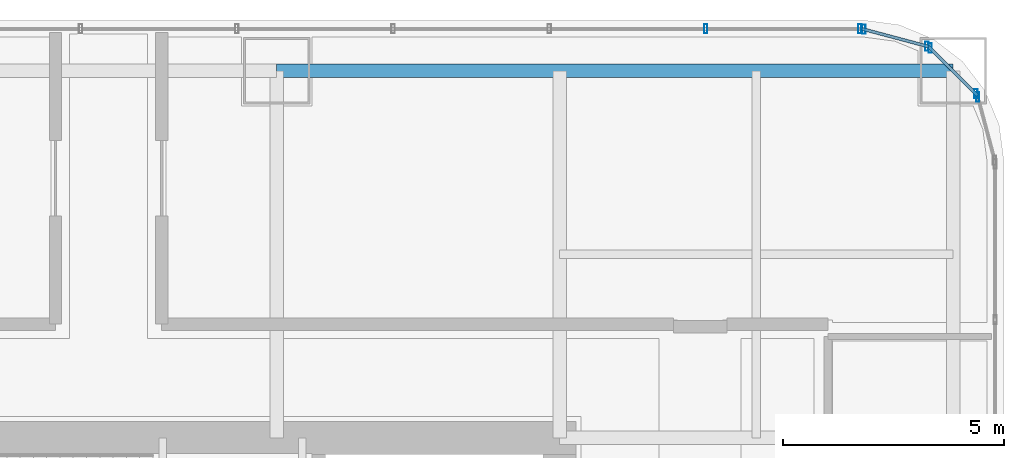
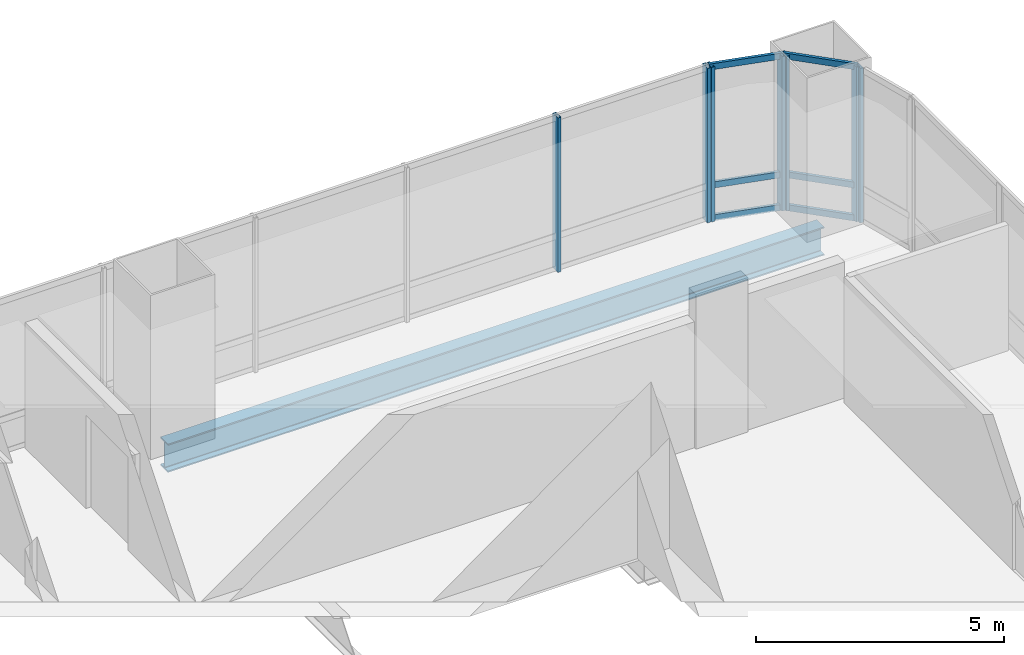
# One storey, part 25 of 36: 13 members, 1 beam, 4 elements without a shape of their own.
"""IFC4 building model written with IfcOpenShell, lengths in metres."""

from ifc_helpers import new_model, si_unit, direction, frame, origin, origin_2d, place, context, subcontext, project, spatial, hollow_rectangle, i_section, extrude, material, material_profile, profile_set, type_object, element, aggregate, save


model = new_model("IFC4")

# Units and contexts
model_context = context("Model", 3, precision=1e-05, world=origin(), true_north=direction((0.0, 1.0)))
body_context = subcontext(model_context, "Body", "Model", "MODEL_VIEW")
ifc_project = project(units=[si_unit("LENGTHUNIT", "METRE"), si_unit("AREAUNIT", "SQUARE_METRE"), si_unit("VOLUMEUNIT", "CUBIC_METRE"), si_unit("PLANEANGLEUNIT", "RADIAN"), si_unit("MASSUNIT", "GRAM", prefix="KILO")], contexts=[model_context])

# Site, building, storey
site_placement = place(None, origin())
site = spatial("IfcSite", under=ifc_project, at=site_placement, CompositionType="ELEMENT")
building_placement = place(site_placement, origin())
building = spatial("IfcBuilding", under=site, at=building_placement, Name="Punatoya Terracotta Tower", CompositionType="ELEMENT")
storey_placement = place(building_placement, frame((0.0, 0.0, 48.449951171875)))
storey = spatial("IfcBuildingStorey", under=building, at=storey_placement, Name="L10", CompositionType="ELEMENT", Elevation=48.449951171875)

# Beam
ifc_material_1 = material(Name="Steel S355", Category="steel")
ifc_material_profile_1 = material_profile(ifc_material_1, i_section(OverallWidth=0.300048828125, OverallDepth=0.699951171875, WebThickness=0.01708984375, FlangeThickness=0.031982421875, FilletRadius=0.01806640625, at=origin_2d()))
ifc_profile_set_1 = profile_set([ifc_material_profile_1], Name="Steel S355")
beam_type = type_object("IfcBeamType", Name="BM-PRI-700", PredefinedType="BEAM", material=ifc_profile_set_1)
beam_placement = place(storey_placement, frame((3.800048828125, 17.5, -0.58984375), z_axis=(1.0, 0.0, 0.0), x_axis=(0.0, 1.0, 0.0)))
element("IfcBeam", 1, at=beam_placement, inside=storey, type_object=beam_type, Name="BM-L10-RG-N3", PredefinedType="BEAM", context=body_context, shape_type="SweptSolid", body=[
    extrude(i_section(OverallWidth=0.300048828125, OverallDepth=0.699951171875, WebThickness=0.01708984375, FlangeThickness=0.031982421875, FilletRadius=0.01806640625, at=origin_2d()), origin(), (0.0, 0.0, 1.0), 15.300048828125),
])

# Curtain wall, member
ifc_material_2 = material(Name="Aluminium 6063-T6 + Double Low-E Glass", Category="aluminium")
curtain_wall_type = type_object("IfcCurtainWallType", Name="CW-M1", PredefinedType="NOTDEFINED", material=ifc_material_2)
curtain_wall_1_placement = place(storey_placement, origin())
curtain_wall_1 = element("IfcCurtainWall", 2, at=curtain_wall_1_placement, inside=storey, type_object=curtain_wall_type, Name="L10 Curtain Wall CW-L10-CRN06", PredefinedType="NOTDEFINED")
ifc_material_3 = material(Name="Aluminium 6063-T6", Category="aluminium")
ifc_material_profile_2 = material_profile(ifc_material_3, hollow_rectangle(XDim=0.074951171875, YDim=0.2099609375, WallThickness=0.00439453125, at=origin_2d()))
ifc_profile_set_2 = profile_set([ifc_material_profile_2], Name="Aluminium 6063-T6")
member_type_1 = type_object("IfcMemberType", Name="CW-MUL-M1", PredefinedType="MULLION", material=ifc_profile_set_2)
member_1_placement = place(storey_placement, frame((19.658203125, 16.905517578125, 0.0), z_axis=(0.0, 0.0, 1.0), x_axis=(1.0, 0.0, 0.0)))
member_1 = element("IfcMember", 3, at=member_1_placement, type_object=member_type_1, Name="CW-L10-CRN06 Mullion 01", PredefinedType="MULLION", context=body_context, shape_type="SweptSolid", body=[
    extrude(hollow_rectangle(XDim=0.074951171875, YDim=0.2099609375, WallThickness=0.00439453125, at=origin_2d()), origin(), (0.0, 0.0, 1.0), 3.81005859375),
])
aggregate(curtain_wall_1, [member_1])

# Curtain wall, members
curtain_wall_2_placement = place(storey_placement, origin())
curtain_wall_2 = element("IfcCurtainWall", 4, at=curtain_wall_2_placement, inside=storey, type_object=curtain_wall_type, Name="L10 Curtain Wall CW-L10-CRN07", PredefinedType="NOTDEFINED")
member_2_placement = place(storey_placement, frame((19.61474609375, 16.98095703125, 0.0), z_axis=(0.0, 0.0, 1.0), x_axis=(1.0, 0.0, 0.0)))
member_2 = element("IfcMember", 5, at=member_2_placement, type_object=member_type_1, Name="CW-L10-CRN07 Mullion 00", PredefinedType="MULLION", context=body_context, shape_type="SweptSolid", body=[
    extrude(hollow_rectangle(XDim=0.074951171875, YDim=0.2099609375, WallThickness=0.00439453125, at=origin_2d()), origin(), (0.0, 0.0, 1.0), 3.81005859375),
])
member_3_placement = place(storey_placement, frame((18.580810546875, 18.014892578125, 0.0), z_axis=(0.0, 0.0, 1.0), x_axis=(1.0, 0.0, 0.0)))
member_3 = element("IfcMember", 6, at=member_3_placement, type_object=member_type_1, Name="CW-L10-CRN07 Mullion 01", PredefinedType="MULLION", context=body_context, shape_type="SweptSolid", body=[
    extrude(hollow_rectangle(XDim=0.074951171875, YDim=0.2099609375, WallThickness=0.00439453125, at=origin_2d()), origin(), (0.0, 0.0, 1.0), 3.81005859375),
])

curtain_wall_3_placement = place(storey_placement, origin())
curtain_wall_3 = element("IfcCurtainWall", 7, at=curtain_wall_3_placement, inside=storey, type_object=curtain_wall_type, Name="L10 Curtain Wall CW-L10-CRN08", PredefinedType="NOTDEFINED")
member_4_placement = place(storey_placement, frame((18.505615234375, 18.05810546875, 0.0), z_axis=(0.0, 0.0, 1.0), x_axis=(1.0, 0.0, 0.0)))
member_4 = element("IfcMember", 8, at=member_4_placement, type_object=member_type_1, Name="CW-L10-CRN08 Mullion 00", PredefinedType="MULLION", context=body_context, shape_type="SweptSolid", body=[
    extrude(hollow_rectangle(XDim=0.074951171875, YDim=0.2099609375, WallThickness=0.00439453125, at=origin_2d()), origin(), (0.0, 0.0, 1.0), 3.81005859375),
])
member_5_placement = place(storey_placement, frame((17.080322265625, 18.4384765625, 0.0), z_axis=(0.0, 0.0, 1.0), x_axis=(1.0, 0.0, 0.0)))
member_5 = element("IfcMember", 9, at=member_5_placement, type_object=member_type_1, Name="CW-L10-CRN08 Mullion 01", PredefinedType="MULLION", context=body_context, shape_type="SweptSolid", body=[
    extrude(hollow_rectangle(XDim=0.074951171875, YDim=0.2099609375, WallThickness=0.00439453125, at=origin_2d()), origin(), (0.0, 0.0, 1.0), 3.81005859375),
])

curtain_wall_4_placement = place(storey_placement, origin())
curtain_wall_4 = element("IfcCurtainWall", 10, at=curtain_wall_4_placement, inside=storey, type_object=curtain_wall_type, Name="L10 Curtain Wall CW-L10-N09-1", PredefinedType="NOTDEFINED")
member_6_placement = place(storey_placement, frame((16.991943359375, 18.449951171875, 0.0), z_axis=(0.0, 0.0, 1.0), x_axis=(1.0, 0.0, 0.0)))
member_6 = element("IfcMember", 11, at=member_6_placement, type_object=member_type_1, Name="CW-L10-N09-1 Mullion 00", PredefinedType="MULLION", context=body_context, shape_type="SweptSolid", body=[
    extrude(hollow_rectangle(XDim=0.074951171875, YDim=0.2099609375, WallThickness=0.00439453125, at=origin_2d()), origin(), (0.0, 0.0, 1.0), 3.81005859375),
])
member_7_placement = place(storey_placement, frame((13.5029296875, 18.449951171875, 0.0), z_axis=(0.0, 0.0, 1.0), x_axis=(1.0, 0.0, 0.0)))
member_7 = element("IfcMember", 12, at=member_7_placement, type_object=member_type_1, Name="CW-L10-N09-1 Mullion 01", PredefinedType="MULLION", context=body_context, shape_type="SweptSolid", body=[
    extrude(hollow_rectangle(XDim=0.074951171875, YDim=0.2099609375, WallThickness=0.00439453125, at=origin_2d()), origin(), (0.0, 0.0, 1.0), 3.81005859375),
])
aggregate(curtain_wall_4, [member_6, member_7])

# Member
ifc_material_profile_3 = material_profile(ifc_material_3, hollow_rectangle(XDim=0.068115234375, YDim=0.14990234375, WallThickness=0.00390625, at=origin_2d()))
ifc_profile_set_3 = profile_set([ifc_material_profile_3], Name="Aluminium 6063-T6")
member_type_2 = type_object("IfcMemberType", Name="CW-TRN-TYP", PredefinedType="USERDEFINED", material=ifc_profile_set_3)
member_8_placement = place(storey_placement, frame((19.646484375, 16.94921875, 0.0400390625), z_axis=(-0.707106781187, 0.707106781187, 0.0), x_axis=(-0.707106781187, -0.707106781187, 0.0)))
member_8 = element("IfcMember", 13, at=member_8_placement, type_object=member_type_2, Name="CW-L10-CRN07 Transom 1", ObjectType="TRANSOM", PredefinedType="USERDEFINED", context=body_context, shape_type="SweptSolid", body=[
    extrude(hollow_rectangle(XDim=0.068115234375, YDim=0.14990234375, WallThickness=0.00390625, at=origin_2d()), origin(), (0.0, 0.0, 1.0), 1.552001953125),
])

member_9_placement = place(storey_placement, frame((19.646484375, 16.94921875, 0.85009765625), z_axis=(-0.707106781187, 0.707106781187, 0.0), x_axis=(-0.707106781187, -0.707106781187, 0.0)))
member_9 = element("IfcMember", 14, at=member_9_placement, type_object=member_type_2, Name="CW-L10-CRN07 Transom 2", ObjectType="TRANSOM", PredefinedType="USERDEFINED", context=body_context, shape_type="SweptSolid", body=[
    extrude(hollow_rectangle(XDim=0.068115234375, YDim=0.14990234375, WallThickness=0.00390625, at=origin_2d()), origin(), (0.0, 0.0, 1.0), 1.552001953125),
])

member_10_placement = place(storey_placement, frame((19.646484375, 16.94921875, 3.77001953125), z_axis=(-0.707106781187, 0.707106781187, 0.0), x_axis=(-0.707106781187, -0.707106781187, 0.0)))
member_10 = element("IfcMember", 15, at=member_10_placement, type_object=member_type_2, Name="CW-L10-CRN07 Transom 3", ObjectType="TRANSOM", PredefinedType="USERDEFINED", context=body_context, shape_type="SweptSolid", body=[
    extrude(hollow_rectangle(XDim=0.068115234375, YDim=0.14990234375, WallThickness=0.00390625, at=origin_2d()), origin(), (0.0, 0.0, 1.0), 1.552001953125),
])

aggregate(curtain_wall_2, [member_2, member_3, member_8, member_9, member_10])

member_11_placement = place(storey_placement, frame((18.549072265625, 18.046630859375, 0.0400390625), z_axis=(-0.966224582397, 0.257701486942, 0.0), x_axis=(-0.257701486942, -0.966224582397, 0.0)))
member_11 = element("IfcMember", 16, at=member_11_placement, type_object=member_type_2, Name="CW-L10-CRN08 Transom 1", ObjectType="TRANSOM", PredefinedType="USERDEFINED", context=body_context, shape_type="SweptSolid", body=[
    extrude(hollow_rectangle(XDim=0.068115234375, YDim=0.14990234375, WallThickness=0.00390625, at=origin_2d()), origin(), (0.0, 0.0, 1.0), 1.565185546875),
])

member_12_placement = place(storey_placement, frame((18.549072265625, 18.046630859375, 0.85009765625), z_axis=(-0.966224582397, 0.257701486942, 0.0), x_axis=(-0.257701486942, -0.966224582397, 0.0)))
member_12 = element("IfcMember", 17, at=member_12_placement, type_object=member_type_2, Name="CW-L10-CRN08 Transom 2", ObjectType="TRANSOM", PredefinedType="USERDEFINED", context=body_context, shape_type="SweptSolid", body=[
    extrude(hollow_rectangle(XDim=0.068115234375, YDim=0.14990234375, WallThickness=0.00390625, at=origin_2d()), origin(), (0.0, 0.0, 1.0), 1.565185546875),
])

member_13_placement = place(storey_placement, frame((18.549072265625, 18.046630859375, 3.77001953125), z_axis=(-0.966224582397, 0.257701486942, 0.0), x_axis=(-0.257701486942, -0.966224582397, 0.0)))
member_13 = element("IfcMember", 18, at=member_13_placement, type_object=member_type_2, Name="CW-L10-CRN08 Transom 3", ObjectType="TRANSOM", PredefinedType="USERDEFINED", context=body_context, shape_type="SweptSolid", body=[
    extrude(hollow_rectangle(XDim=0.068115234375, YDim=0.14990234375, WallThickness=0.00390625, at=origin_2d()), origin(), (0.0, 0.0, 1.0), 1.565185546875),
])

aggregate(curtain_wall_3, [member_4, member_5, member_11, member_12, member_13])

save(model, "model.ifc")
